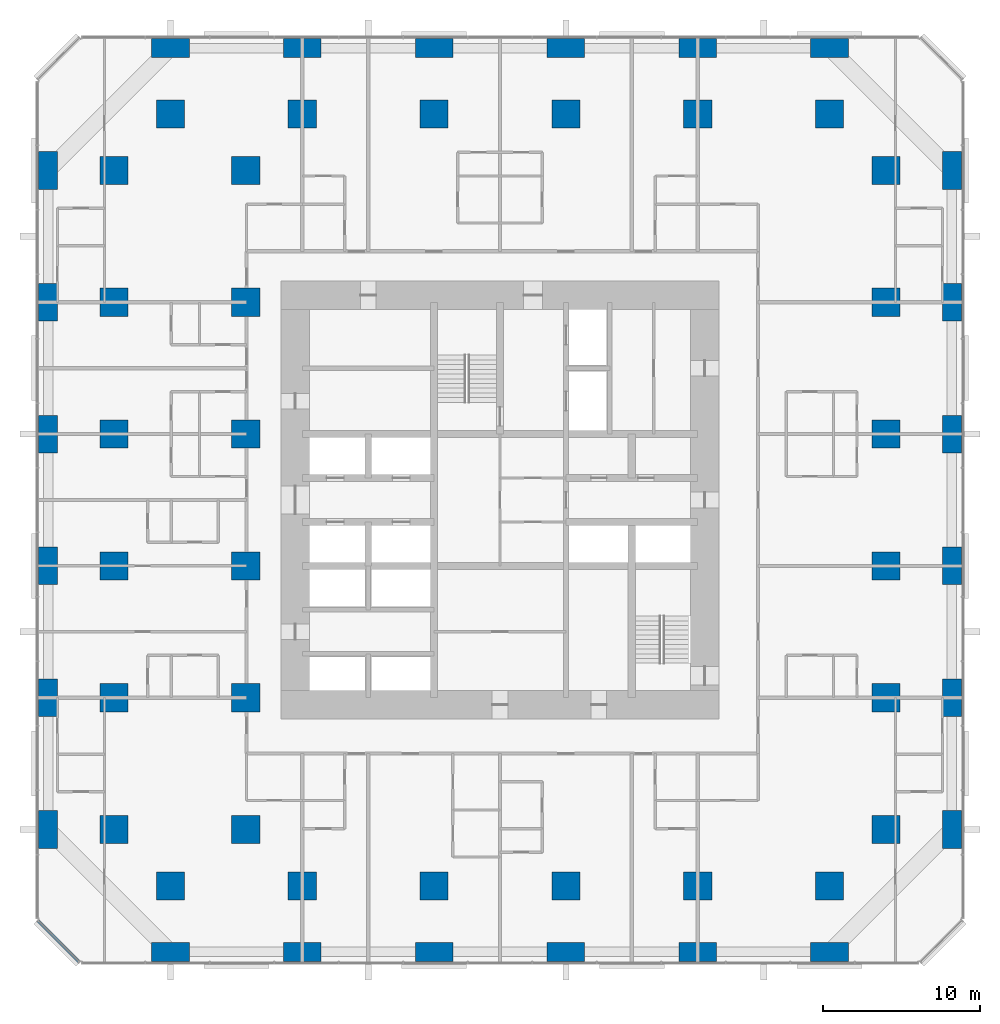
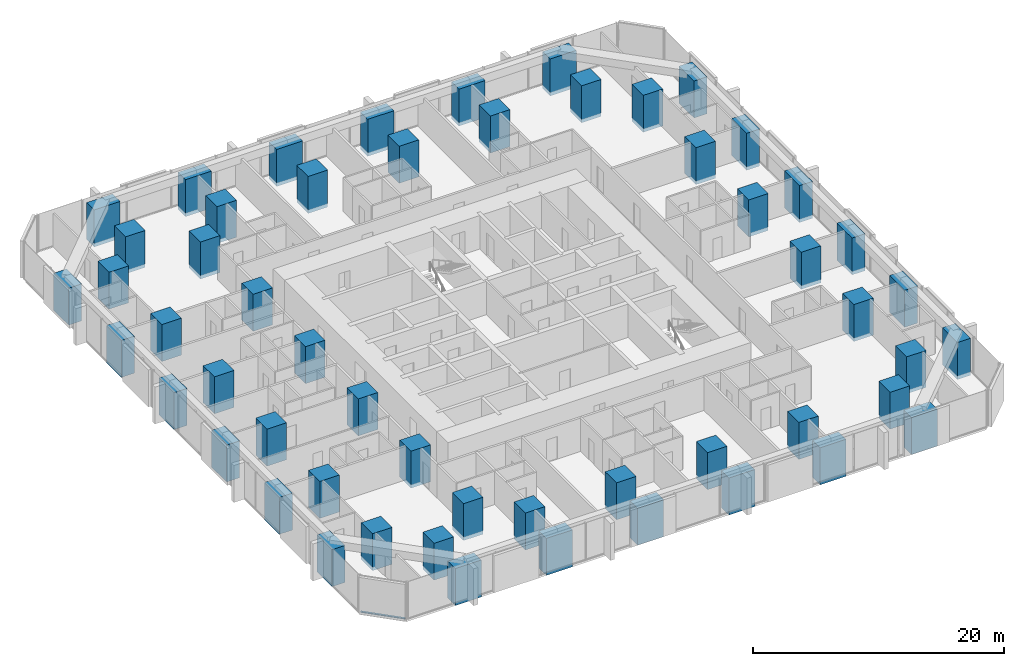
# One storey, part 1 of 17: 54 columns, 1 member, 1 element without a shape of its own.
"""IFC4 building model written with IfcOpenShell, lengths in metres."""

from ifc_helpers import new_model, si_unit, direction, frame, origin, origin_2d, place, context, subcontext, project, spatial, rectangle, extrude, material, material_profile, profile_set, type_object, element, aggregate, save


model = new_model("IFC4")

# Units and contexts
model_context = context("Model", 3, precision=1e-05, world=origin(), true_north=direction((0.0, 1.0)))
body_context = subcontext(model_context, "Body", "Model", "MODEL_VIEW")
ifc_project = project(units=[si_unit("LENGTHUNIT", "METRE"), si_unit("AREAUNIT", "SQUARE_METRE"), si_unit("VOLUMEUNIT", "CUBIC_METRE"), si_unit("PLANEANGLEUNIT", "RADIAN"), si_unit("MASSUNIT", "GRAM", prefix="KILO")], contexts=[model_context])

# Site, building, storey
site_placement = place(None, origin())
site = spatial("IfcSite", under=ifc_project, at=site_placement, CompositionType="ELEMENT")
building_placement = place(site_placement, origin())
building = spatial("IfcBuilding", under=site, at=building_placement, Name="Dunama Terrace Hotel", CompositionType="ELEMENT")
storey_placement = place(building_placement, frame((0.0, 0.0, 37.800048828125)))
storey = spatial("IfcBuildingStorey", under=building, at=storey_placement, Name="L08", CompositionType="ELEMENT", Elevation=37.800048828125)

# Columns
ifc_material_1 = material(Name="Concrete C60/75", Category="concrete")
ifc_material_profile_1 = material_profile(ifc_material_1, rectangle(XDim=1.199951171875, YDim=2.39990234375, at=origin_2d()), Name="RC 1200x2400")
ifc_profile_set_1 = profile_set([ifc_material_profile_1], Name="Concrete C60/75")
column_type_1 = type_object("IfcColumnType", Name="Column RC 1200x2400", PredefinedType="COLUMN", material=ifc_profile_set_1)
for number, where, z_axis, x_axis, name in (
    (1, (0.60009765625, 8.39990234375, -0.35009765625), (0.0, 0.0, 1.0), (1.0, 0.0, 0.0), "Column L08 +0.6/+8.4"),
    (2, (0.60009765625, 16.800048828125, -0.35009765625), (0.0, 0.0, 1.0), (1.0, 0.0, 0.0), "Column L08 +0.6/+16.8"),
    (3, (0.60009765625, 25.199951171875, -0.35009765625), (0.0, 0.0, 1.0), (1.0, 0.0, 0.0), "Column L08 +0.6/+25.2"),
    (4, (0.60009765625, 33.60009765625, -0.35009765625), (0.0, 0.0, 1.0), (1.0, 0.0, 0.0), "Column L08 +0.6/+33.6"),
    (5, (0.60009765625, 42.0, -0.35009765625), (0.0, 0.0, 1.0), (1.0, 0.0, 0.0), "Column L08 +0.6/+42.0"),
    (6, (0.60009765625, 50.39990234375, -0.35009765625), (0.0, 0.0, 1.0), (1.0, 0.0, 0.0), "Column L08 +0.6/+50.4"),
    (7, (58.199951171875, 8.39990234375, -0.35009765625), (0.0, 0.0, 1.0), (1.0, 0.0, 0.0), "Column L08 +58.2/+8.4"),
    (8, (58.199951171875, 16.800048828125, -0.35009765625), (0.0, 0.0, 1.0), (1.0, 0.0, 0.0), "Column L08 +58.2/+16.8"),
    (9, (58.199951171875, 25.199951171875, -0.35009765625), (0.0, 0.0, 1.0), (1.0, 0.0, 0.0), "Column L08 +58.2/+25.2"),
    (10, (58.199951171875, 33.60009765625, -0.35009765625), (0.0, 0.0, 1.0), (1.0, 0.0, 0.0), "Column L08 +58.2/+33.6"),
    (11, (58.199951171875, 42.0, -0.35009765625), (0.0, 0.0, 1.0), (1.0, 0.0, 0.0), "Column L08 +58.2/+42.0"),
    (12, (58.199951171875, 50.39990234375, -0.35009765625), (0.0, 0.0, 1.0), (1.0, 0.0, 0.0), "Column L08 +58.2/+50.4"),
):
    element("IfcColumn", number, at=place(storey_placement, frame(where, z_axis=z_axis, x_axis=x_axis)), inside=storey, type_object=column_type_1, Name=name, PredefinedType="COLUMN", context=body_context, shape_type="SweptSolid", body=[
        extrude(rectangle(XDim=1.199951171875, YDim=2.39990234375, at=origin_2d()), origin(), (0.0, 0.0, 1.0), 3.60009765625),
    ])
ifc_material_2 = material(Name="Concrete C60/75", Category="concrete")
ifc_material_profile_2 = material_profile(ifc_material_2, rectangle(XDim=1.800048828125, YDim=1.800048828125, at=origin_2d()), Name="RC 1800x1800")
ifc_profile_set_2 = profile_set([ifc_material_profile_2], Name="Concrete C60/75")
column_type_2 = type_object("IfcColumnType", Name="Column RC 1800x1800", PredefinedType="COLUMN", material=ifc_profile_set_2)
for number, where, z_axis, x_axis, name in (
    (13, (4.800048828125, 8.39990234375, -0.35009765625), (0.0, 0.0, 1.0), (1.0, 0.0, 0.0), "Column L08 +4.8/+8.4"),
    (14, (4.800048828125, 16.800048828125, -0.35009765625), (0.0, 0.0, 1.0), (1.0, 0.0, 0.0), "Column L08 +4.8/+16.8"),
    (15, (4.800048828125, 25.199951171875, -0.35009765625), (0.0, 0.0, 1.0), (1.0, 0.0, 0.0), "Column L08 +4.8/+25.2"),
    (16, (4.800048828125, 33.60009765625, -0.35009765625), (0.0, 0.0, 1.0), (1.0, 0.0, 0.0), "Column L08 +4.8/+33.6"),
    (17, (4.800048828125, 42.0, -0.35009765625), (0.0, 0.0, 1.0), (1.0, 0.0, 0.0), "Column L08 +4.8/+42.0"),
    (18, (4.800048828125, 50.39990234375, -0.35009765625), (0.0, 0.0, 1.0), (1.0, 0.0, 0.0), "Column L08 +4.8/+50.4"),
    (19, (8.39990234375, 4.800048828125, -0.35009765625), (0.0, 0.0, 1.0), (1.0, 0.0, 0.0), "Column L08 +8.4/+4.8"),
    (20, (8.39990234375, 54.0, -0.35009765625), (0.0, 0.0, 1.0), (1.0, 0.0, 0.0), "Column L08 +8.4/+54.0"),
    (21, (13.199951171875, 8.39990234375, -0.35009765625), (0.0, 0.0, 1.0), (1.0, 0.0, 0.0), "Column L08 +13.2/+8.4"),
    (22, (13.199951171875, 16.800048828125, -0.35009765625), (0.0, 0.0, 1.0), (1.0, 0.0, 0.0), "Column L08 +13.2/+16.8"),
    (23, (13.199951171875, 25.199951171875, -0.35009765625), (0.0, 0.0, 1.0), (1.0, 0.0, 0.0), "Column L08 +13.2/+25.2"),
    (24, (13.199951171875, 33.60009765625, -0.35009765625), (0.0, 0.0, 1.0), (1.0, 0.0, 0.0), "Column L08 +13.2/+33.6"),
    (25, (13.199951171875, 42.0, -0.35009765625), (0.0, 0.0, 1.0), (1.0, 0.0, 0.0), "Column L08 +13.2/+42.0"),
    (26, (13.199951171875, 50.39990234375, -0.35009765625), (0.0, 0.0, 1.0), (1.0, 0.0, 0.0), "Column L08 +13.2/+50.4"),
    (27, (16.800048828125, 4.800048828125, -0.35009765625), (0.0, 0.0, 1.0), (1.0, 0.0, 0.0), "Column L08 +16.8/+4.8"),
    (28, (16.800048828125, 54.0, -0.35009765625), (0.0, 0.0, 1.0), (1.0, 0.0, 0.0), "Column L08 +16.8/+54.0"),
    (29, (25.199951171875, 4.800048828125, -0.35009765625), (0.0, 0.0, 1.0), (1.0, 0.0, 0.0), "Column L08 +25.2/+4.8"),
    (30, (25.199951171875, 54.0, -0.35009765625), (0.0, 0.0, 1.0), (1.0, 0.0, 0.0), "Column L08 +25.2/+54.0"),
    (31, (33.60009765625, 4.800048828125, -0.35009765625), (0.0, 0.0, 1.0), (1.0, 0.0, 0.0), "Column L08 +33.6/+4.8"),
    (32, (33.60009765625, 54.0, -0.35009765625), (0.0, 0.0, 1.0), (1.0, 0.0, 0.0), "Column L08 +33.6/+54.0"),
    (33, (42.0, 4.800048828125, -0.35009765625), (0.0, 0.0, 1.0), (1.0, 0.0, 0.0), "Column L08 +42.0/+4.8"),
    (34, (42.0, 54.0, -0.35009765625), (0.0, 0.0, 1.0), (1.0, 0.0, 0.0), "Column L08 +42.0/+54.0"),
    (35, (50.39990234375, 4.800048828125, -0.35009765625), (0.0, 0.0, 1.0), (1.0, 0.0, 0.0), "Column L08 +50.4/+4.8"),
    (36, (50.39990234375, 54.0, -0.35009765625), (0.0, 0.0, 1.0), (1.0, 0.0, 0.0), "Column L08 +50.4/+54.0"),
    (37, (54.0, 8.39990234375, -0.35009765625), (0.0, 0.0, 1.0), (1.0, 0.0, 0.0), "Column L08 +54.0/+8.4"),
    (38, (54.0, 16.800048828125, -0.35009765625), (0.0, 0.0, 1.0), (1.0, 0.0, 0.0), "Column L08 +54.0/+16.8"),
    (39, (54.0, 25.199951171875, -0.35009765625), (0.0, 0.0, 1.0), (1.0, 0.0, 0.0), "Column L08 +54.0/+25.2"),
    (40, (54.0, 33.60009765625, -0.35009765625), (0.0, 0.0, 1.0), (1.0, 0.0, 0.0), "Column L08 +54.0/+33.6"),
    (41, (54.0, 42.0, -0.35009765625), (0.0, 0.0, 1.0), (1.0, 0.0, 0.0), "Column L08 +54.0/+42.0"),
    (42, (54.0, 50.39990234375, -0.35009765625), (0.0, 0.0, 1.0), (1.0, 0.0, 0.0), "Column L08 +54.0/+50.4"),
):
    element("IfcColumn", number, at=place(storey_placement, frame(where, z_axis=z_axis, x_axis=x_axis)), inside=storey, type_object=column_type_2, Name=name, PredefinedType="COLUMN", context=body_context, shape_type="SweptSolid", body=[
        extrude(rectangle(XDim=1.800048828125, YDim=1.800048828125, at=origin_2d()), origin(), (0.0, 0.0, 1.0), 3.60009765625),
    ])
ifc_material_3 = material(Name="Concrete C60/75", Category="concrete")
ifc_material_profile_3 = material_profile(ifc_material_3, rectangle(XDim=2.39990234375, YDim=1.199951171875, at=origin_2d()), Name="RC 2400x1200")
ifc_profile_set_3 = profile_set([ifc_material_profile_3], Name="Concrete C60/75")
column_type_3 = type_object("IfcColumnType", Name="Column RC 2400x1200", PredefinedType="COLUMN", material=ifc_profile_set_3)
for number, where, z_axis, x_axis, name in (
    (43, (8.39990234375, 0.60009765625, -0.35009765625), (0.0, 0.0, 1.0), (1.0, 0.0, 0.0), "Column L08 +8.4/+0.6"),
    (44, (8.39990234375, 58.199951171875, -0.35009765625), (0.0, 0.0, 1.0), (1.0, 0.0, 0.0), "Column L08 +8.4/+58.2"),
    (45, (16.800048828125, 0.60009765625, -0.35009765625), (0.0, 0.0, 1.0), (1.0, 0.0, 0.0), "Column L08 +16.8/+0.6"),
    (46, (16.800048828125, 58.199951171875, -0.35009765625), (0.0, 0.0, 1.0), (1.0, 0.0, 0.0), "Column L08 +16.8/+58.2"),
    (47, (25.199951171875, 0.60009765625, -0.35009765625), (0.0, 0.0, 1.0), (1.0, 0.0, 0.0), "Column L08 +25.2/+0.6"),
    (48, (25.199951171875, 58.199951171875, -0.35009765625), (0.0, 0.0, 1.0), (1.0, 0.0, 0.0), "Column L08 +25.2/+58.2"),
    (49, (33.60009765625, 0.60009765625, -0.35009765625), (0.0, 0.0, 1.0), (1.0, 0.0, 0.0), "Column L08 +33.6/+0.6"),
    (50, (33.60009765625, 58.199951171875, -0.35009765625), (0.0, 0.0, 1.0), (1.0, 0.0, 0.0), "Column L08 +33.6/+58.2"),
    (51, (42.0, 0.60009765625, -0.35009765625), (0.0, 0.0, 1.0), (1.0, 0.0, 0.0), "Column L08 +42.0/+0.6"),
    (52, (42.0, 58.199951171875, -0.35009765625), (0.0, 0.0, 1.0), (1.0, 0.0, 0.0), "Column L08 +42.0/+58.2"),
    (53, (50.39990234375, 0.60009765625, -0.35009765625), (0.0, 0.0, 1.0), (1.0, 0.0, 0.0), "Column L08 +50.4/+0.6"),
    (54, (50.39990234375, 58.199951171875, -0.35009765625), (0.0, 0.0, 1.0), (1.0, 0.0, 0.0), "Column L08 +50.4/+58.2"),
):
    element("IfcColumn", number, at=place(storey_placement, frame(where, z_axis=z_axis, x_axis=x_axis)), inside=storey, type_object=column_type_3, Name=name, PredefinedType="COLUMN", context=body_context, shape_type="SweptSolid", body=[
        extrude(rectangle(XDim=2.39990234375, YDim=1.199951171875, at=origin_2d()), origin(), (0.0, 0.0, 1.0), 3.60009765625),
    ])

# Curtain wall, member
ifc_material_4 = material(Name="Aluminium curtain wall system", Category="aluminium")
curtain_wall_type = type_object("IfcCurtainWallType", Name="Unitised fritted glass wall CW-A", PredefinedType="NOTDEFINED", material=ifc_material_4)
curtain_wall_placement = place(storey_placement, origin())
curtain_wall = element("IfcCurtainWall", 55, at=curtain_wall_placement, inside=storey, type_object=curtain_wall_type, Name="Unitised fritted glass wall CW-A L08", PredefinedType="NOTDEFINED")
ifc_material_5 = material(Name="Aluminium transom", Category="aluminium")
ifc_material_profile_4 = material_profile(ifc_material_5, rectangle(XDim=0.179931640625, YDim=0.074951171875, at=origin_2d()), Name="CWA TRANSOM 180X75")
ifc_profile_set_4 = profile_set([ifc_material_profile_4], Name="Aluminium transom")
member_type = type_object("IfcMemberType", Name="CWA transom 180x75", PredefinedType="USERDEFINED", material=ifc_profile_set_4)
member_placement = place(storey_placement, frame((-0.02490234375, 2.5830078125, 0.037353515625), z_axis=(0.707106781187, -0.707106781187, 0.0), x_axis=(0.707106781187, 0.707106781187, 0.0)))
member = element("IfcMember", 56, at=member_placement, type_object=member_type, Name="CWA transom", ObjectType="TRANSOM", PredefinedType="USERDEFINED", context=body_context, shape_type="SweptSolid", body=[
    extrude(rectangle(XDim=0.179931640625, YDim=0.074951171875, at=origin_2d()), origin(), (0.0, 0.0, 1.0), 3.688232421875),
])
aggregate(curtain_wall, [member])

save(model, "model.ifc")
